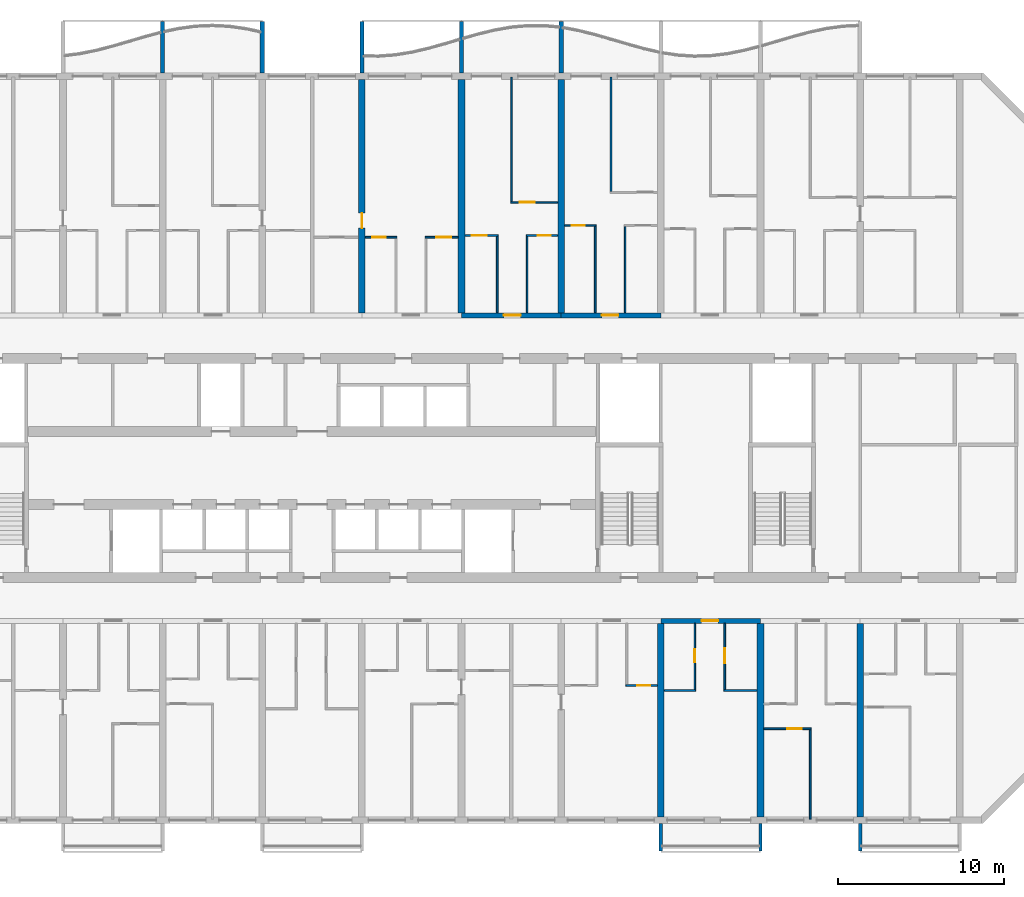
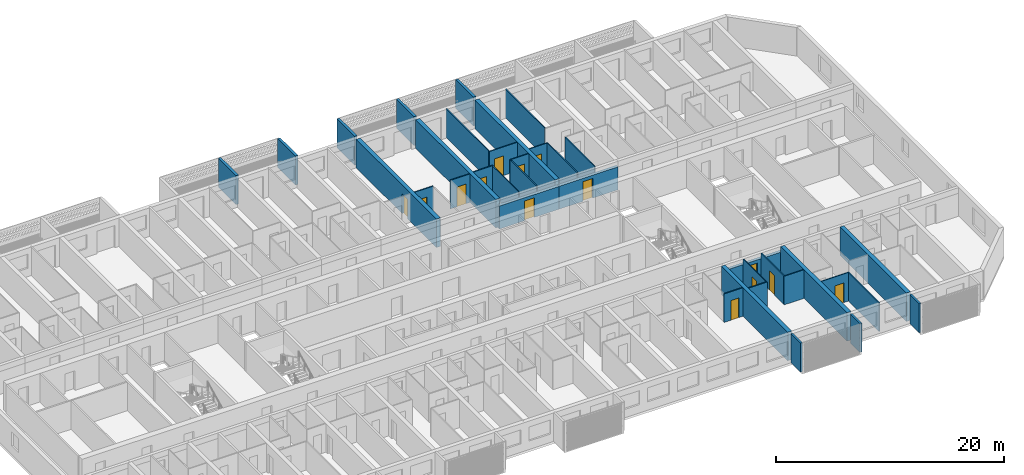
# One storey, part 13 of 39: 36 walls, 14 doors, 14 openings.
"""IFC4 building model written with IfcOpenShell, lengths in metres."""

from ifc_helpers import new_model, si_unit, direction, frame, frame_2d, origin, place, context, subcontext, project, spatial, polyline, rectangle, outline, extrude, source, transform, mapped, material, layer, layer_set, type_object, element, fill, save


model = new_model("IFC4")

# Units and contexts
model_context = context("Model", 3, precision=1e-05, world=origin(), true_north=direction((0.0, 1.0)))
body_context = subcontext(model_context, "Body", "Model", "MODEL_VIEW")
ifc_project = project(units=[si_unit("LENGTHUNIT", "METRE"), si_unit("AREAUNIT", "SQUARE_METRE"), si_unit("VOLUMEUNIT", "CUBIC_METRE"), si_unit("PLANEANGLEUNIT", "RADIAN"), si_unit("MASSUNIT", "GRAM", prefix="KILO")], contexts=[model_context])

# Site, building, storey
site_placement = place(None, origin())
site = spatial("IfcSite", under=ifc_project, at=site_placement, CompositionType="ELEMENT")
building_placement = place(site_placement, origin())
building = spatial("IfcBuilding", under=site, at=building_placement, Name="Poui Terraces", CompositionType="ELEMENT")
storey_placement = place(building_placement, frame((0.0, 0.0, 56.39990234375)))
storey = spatial("IfcBuildingStorey", under=building, at=storey_placement, Name="L15", CompositionType="ELEMENT", Elevation=56.39990234375)

# Wall, opening, door
ifc_material_1 = material(Name="Concrete 80 MPa", Category="concrete")
ifc_layer_1 = layer(ifc_material_1, 0.300048828125)
ifc_layer_set_1 = layer_set([ifc_layer_1], Name="Concrete 80 MPa")
wall_type_1 = type_object("IfcWallType", Name="CORRIDOR WALL 300 80MPa", PredefinedType="SHEAR", material=ifc_layer_set_1)
wall_1_placement = place(storey_placement, frame((72.0, 12.0, 0.0), z_axis=(0.0, 0.0, 1.0), x_axis=(1.0, 0.0, 0.0)))
wall_1 = element("IfcWall", 1, at=wall_1_placement, inside=storey, type_object=wall_type_1, Name="CORRIDOR WALL LINE B BAY 12", PredefinedType="SHEAR", context=body_context, shape_type="SweptSolid", body=[
    extrude(rectangle(XDim=6.0, YDim=0.300048828125, at=frame_2d((3.0, 0.0))), origin(), (0.0, 0.0, 1.0), 2.4501953125),
])
opening_1_placement = place(wall_1_placement, frame((2.449951171875, 0.0, 0.0)))
opening_1 = element("IfcOpeningElement", 2, at=opening_1_placement, cuts=wall_1, Name="Opening FD30S", PredefinedType="OPENING", context=body_context, shape_type="SweptSolid", body=[
    extrude(rectangle(XDim=1.0, YDim=2.10009765625, at=frame_2d((0.5, 1.050048828125))), frame((0.0, 0.16015625, 0.0), z_axis=(0.0, -1.0, 0.0), x_axis=(1.0, 0.0, 0.0)), (0.0, 0.0, 1.0), 0.320068359375),
])
ifc_material_2 = material(Name="Steel fire door", Category="steel")
door_type_1 = type_object("IfcDoorType", Name="FLAT ENTRANCE DOOR 1000 X 2100", OperationType="NOTDEFINED", PredefinedType="DOOR", material=ifc_material_2)
door_1_placement = place(opening_1_placement, frame((1.0, 0.0, 0.0), z_axis=(0.0, 0.0, 1.0), x_axis=(-1.0, 0.0, 0.0)))
door_1 = element("IfcDoor", 3, at=door_1_placement, inside=storey, type_object=door_type_1, Name="FLAT ENTRANCE DOOR 124", OperationType="SINGLE_SWING_RIGHT", OverallHeight=2.10009765625, OverallWidth=1.0, PredefinedType="DOOR", context=body_context, shape_type="SweptSolid", body=[
    extrude(rectangle(XDim=1.0, YDim=2.10009765625, at=frame_2d((0.5, 1.050048828125))), frame((0.0, 0.02490234375, 0.0), z_axis=(0.0, -1.0, 0.0), x_axis=(1.0, 0.0, 0.0)), (0.0, 0.0, 1.0), 0.050048828125),
])
fill(opening_1, door_1)

wall_2_placement = place(storey_placement, frame((60.0, 30.39990234375, 0.0), z_axis=(0.0, 0.0, 1.0), x_axis=(1.0, 0.0, 0.0)))
wall_2 = element("IfcWall", 4, at=wall_2_placement, inside=storey, type_object=wall_type_1, Name="CORRIDOR WALL LINE E BAY 10", PredefinedType="SHEAR", context=body_context, shape_type="SweptSolid", body=[
    extrude(rectangle(XDim=6.0, YDim=0.300048828125, at=frame_2d((3.0, 0.0))), origin(), (0.0, 0.0, 1.0), 2.4501953125),
])
opening_2_placement = place(wall_2_placement, frame((2.550048828125, 0.0, 0.0)))
opening_2 = element("IfcOpeningElement", 5, at=opening_2_placement, cuts=wall_2, Name="Opening FD30S", PredefinedType="OPENING", context=body_context, shape_type="SweptSolid", body=[
    extrude(rectangle(XDim=1.0, YDim=2.10009765625, at=frame_2d((0.5, 1.050048828125))), frame((0.0, 0.16015625, 0.0), z_axis=(0.0, -1.0, 0.0), x_axis=(1.0, 0.0, 0.0)), (0.0, 0.0, 1.0), 0.320068359375),
])
door_2_placement = place(opening_2_placement, origin())
door_2 = element("IfcDoor", 6, at=door_2_placement, inside=storey, type_object=door_type_1, Name="FLAT ENTRANCE DOOR 064", OperationType="SINGLE_SWING_RIGHT", OverallHeight=2.10009765625, OverallWidth=1.0, PredefinedType="DOOR", context=body_context, shape_type="SweptSolid", body=[
    extrude(rectangle(XDim=1.0, YDim=2.10009765625, at=frame_2d((0.5, 1.050048828125))), frame((0.0, 0.02490234375, 0.0), z_axis=(0.0, -1.0, 0.0), x_axis=(1.0, 0.0, 0.0)), (0.0, 0.0, 1.0), 0.050048828125),
])
fill(opening_2, door_2)

wall_3_placement = place(storey_placement, frame((66.0, 30.39990234375, 0.0), z_axis=(0.0, 0.0, 1.0), x_axis=(1.0, 0.0, 0.0)))
wall_3 = element("IfcWall", 7, at=wall_3_placement, inside=storey, type_object=wall_type_1, Name="CORRIDOR WALL LINE E BAY 11", PredefinedType="SHEAR", context=body_context, shape_type="SweptSolid", body=[
    extrude(rectangle(XDim=6.0, YDim=0.300048828125, at=frame_2d((3.0, 0.0))), origin(), (0.0, 0.0, 1.0), 2.4501953125),
])
opening_3_placement = place(wall_3_placement, frame((2.449951171875, 0.0, 0.0)))
opening_3 = element("IfcOpeningElement", 8, at=opening_3_placement, cuts=wall_3, Name="Opening FD30S", PredefinedType="OPENING", context=body_context, shape_type="SweptSolid", body=[
    extrude(rectangle(XDim=1.0, YDim=2.10009765625, at=frame_2d((0.5, 1.050048828125))), frame((0.0, 0.16015625, 0.0), z_axis=(0.0, -1.0, 0.0), x_axis=(1.0, 0.0, 0.0)), (0.0, 0.0, 1.0), 0.320068359375),
])
door_3_placement = place(opening_3_placement, origin())
door_3 = element("IfcDoor", 9, at=door_3_placement, inside=storey, type_object=door_type_1, Name="FLAT ENTRANCE DOOR 068", OperationType="SINGLE_SWING_LEFT", OverallHeight=2.10009765625, OverallWidth=1.0, PredefinedType="DOOR", context=body_context, shape_type="SweptSolid", body=[
    extrude(rectangle(XDim=1.0, YDim=2.10009765625, at=frame_2d((0.5, 1.050048828125))), frame((0.0, 0.02490234375, 0.0), z_axis=(0.0, -1.0, 0.0), x_axis=(1.0, 0.0, 0.0)), (0.0, 0.0, 1.0), 0.050048828125),
])
fill(opening_3, door_3)

ifc_layer_2 = layer(ifc_material_1, 0.39990234375)
ifc_layer_set_2 = layer_set([ifc_layer_2], Name="Concrete 80 MPa")
wall_type_2 = type_object("IfcWallType", Name="CROSS WALL 400 80MPa", PredefinedType="SHEAR", material=ifc_layer_set_2)
wall_4_placement = place(storey_placement, frame((54.0, 30.550048828125, 0.0), z_axis=(0.0, 0.0, 1.0), x_axis=(0.0, 1.0, 0.0)))
wall_4 = element("IfcWall", 10, at=wall_4_placement, inside=storey, type_object=wall_type_2, Name="CROSS WALL LINE 10 NORTH", PredefinedType="SHEAR", context=body_context, shape_type="SweptSolid", body=[
    extrude(rectangle(XDim=14.050048828125, YDim=0.39990234375, at=frame_2d((7.02490234375, 0.0))), origin(), (0.0, 0.0, 1.0), 3.050048828125),
])
opening_4_placement = place(wall_4_placement, frame((5.10009765625, 0.0, 0.0)))
opening_4 = element("IfcOpeningElement", 11, at=opening_4_placement, cuts=wall_4, Name="Opening D90", PredefinedType="OPENING", context=body_context, shape_type="SweptSolid", body=[
    extrude(rectangle(XDim=0.89990234375, YDim=2.10009765625, at=frame_2d((0.449951171875, 1.050048828125))), frame((0.0, 0.2099609375, 0.0), z_axis=(0.0, -1.0, 0.0), x_axis=(1.0, 0.0, 0.0)), (0.0, 0.0, 1.0), 0.419921875),
])
ifc_material_3 = material(Name="Solid core timber door", Category="wood")
door_type_2 = type_object("IfcDoorType", Name="INTERNAL DOOR 900 X 2100", OperationType="NOTDEFINED", PredefinedType="DOOR", material=ifc_material_3)
door_4_placement = place(opening_4_placement, origin())
door_4 = element("IfcDoor", 12, at=door_4_placement, inside=storey, type_object=door_type_2, Name="INTERNAL DOOR 059", OperationType="SINGLE_SWING_LEFT", OverallHeight=2.10009765625, OverallWidth=0.89990234375, PredefinedType="DOOR", context=body_context, shape_type="SweptSolid", body=[
    extrude(rectangle(XDim=0.89990234375, YDim=2.10009765625, at=frame_2d((0.449951171875, 1.050048828125))), frame((0.0, 0.02490234375, 0.0), z_axis=(0.0, -1.0, 0.0), x_axis=(1.0, 0.0, 0.0)), (0.0, 0.0, 1.0), 0.050048828125),
])
fill(opening_4, door_4)

# Walls
for number, where, z_axis, x_axis, name in (
    (13, (60.0, 30.550048828125, 0.0), (0.0, 0.0, 1.0), (0.0, 1.0, 0.0), "CROSS WALL LINE 11 NORTH"),
    (14, (66.0, 30.550048828125, 0.0), (0.0, 0.0, 1.0), (0.0, 1.0, 0.0), "CROSS WALL LINE 12 NORTH"),
):
    element("IfcWall", number, at=place(storey_placement, frame(where, z_axis=z_axis, x_axis=x_axis)), inside=storey, type_object=wall_type_2, Name=name, PredefinedType="SHEAR", context=body_context, shape_type="SweptSolid", body=[
        extrude(rectangle(XDim=14.050048828125, YDim=0.39990234375, at=frame_2d((7.02490234375, 0.0))), origin(), (0.0, 0.0, 1.0), 3.050048828125),
    ])
for number, where, z_axis, x_axis, name in (
    (15, (72.0, 0.199951171875, 0.0), (0.0, 0.0, 1.0), (0.0, 1.0, 0.0), "CROSS WALL LINE 13 SOUTH"),
    (16, (78.0, 0.199951171875, 0.0), (0.0, 0.0, 1.0), (0.0, 1.0, 0.0), "CROSS WALL LINE 14 SOUTH"),
    (17, (84.0, 0.199951171875, 0.0), (0.0, 0.0, 1.0), (0.0, 1.0, 0.0), "CROSS WALL LINE 15 SOUTH"),
):
    element("IfcWall", number, at=place(storey_placement, frame(where, z_axis=z_axis, x_axis=x_axis)), inside=storey, type_object=wall_type_2, Name=name, PredefinedType="SHEAR", context=body_context, shape_type="SweptSolid", body=[
        extrude(rectangle(XDim=11.650146484375, YDim=0.39990234375, at=frame_2d((5.8251953125, 0.0))), origin(), (0.0, 0.0, 1.0), 3.050048828125),
    ])

# Wall, opening, door
ifc_material_4 = material(Name="Plasterboard partition")
ifc_layer_3 = layer(ifc_material_4, 0.10009765625)
ifc_layer_set_3 = layer_set([ifc_layer_3], Name="Plasterboard partition")
wall_type_3 = type_object("IfcWallType", Name="FLAT PARTITION 100", PredefinedType="PARTITIONING", material=ifc_layer_set_3)
wall_5_placement = place(storey_placement, frame((78.2099609375, 5.5, 0.0), z_axis=(0.0, 0.0, 1.0), x_axis=(1.0, 0.0, 0.0)))
wall_5 = element("IfcWall", 18, at=wall_5_placement, inside=storey, type_object=wall_type_3, Name="FLAT PARTITION 100", PredefinedType="PARTITIONING", context=body_context, shape_type="SweptSolid", body=[
    extrude(rectangle(XDim=2.840087890625, YDim=0.10009765625, at=frame_2d((1.419921875, 0.0))), origin(), (0.0, 0.0, 1.0), 3.050048828125),
])
opening_5_placement = place(wall_5_placement, frame((1.389892578125, 0.0, 0.0)))
opening_5 = element("IfcOpeningElement", 19, at=opening_5_placement, cuts=wall_5, Name="Opening D90", PredefinedType="OPENING", context=body_context, shape_type="SweptSolid", body=[
    extrude(rectangle(XDim=0.89990234375, YDim=2.10009765625, at=frame_2d((0.449951171875, 1.050048828125))), frame((0.0, 0.06005859375, 0.0), z_axis=(0.0, -1.0, 0.0), x_axis=(1.0, 0.0, 0.0)), (0.0, 0.0, 1.0), 0.1201171875),
])
door_5_placement = place(opening_5_placement, origin())
door_5 = element("IfcDoor", 20, at=door_5_placement, inside=storey, type_object=door_type_2, Name="INTERNAL DOOR 127", OperationType="SINGLE_SWING_LEFT", OverallHeight=2.10009765625, OverallWidth=0.89990234375, PredefinedType="DOOR", context=body_context, shape_type="SweptSolid", body=[
    extrude(rectangle(XDim=0.89990234375, YDim=2.10009765625, at=frame_2d((0.449951171875, 1.050048828125))), frame((0.0, 0.02490234375, 0.0), z_axis=(0.0, -1.0, 0.0), x_axis=(1.0, 0.0, 0.0)), (0.0, 0.0, 1.0), 0.050048828125),
])
fill(opening_5, door_5)

# Walls
wall_6_placement = place(storey_placement, frame((72.2099609375, 7.800048828125, 0.0), z_axis=(0.0, 0.0, 1.0), x_axis=(1.0, 0.0, 0.0)))
element("IfcWall", 21, at=wall_6_placement, inside=storey, type_object=wall_type_3, Name="FLAT PARTITION 100", PredefinedType="PARTITIONING", context=body_context, shape_type="SweptSolid", body=[
    extrude(rectangle(XDim=1.89013671875, YDim=0.10009765625, at=frame_2d((0.945068359375, 0.0))), origin(), (0.0, 0.0, 1.0), 3.050048828125),
])
wall_7_placement = place(storey_placement, frame((75.800048828125, 7.800048828125, 0.0), z_axis=(0.0, 0.0, 1.0), x_axis=(1.0, 0.0, 0.0)))
element("IfcWall", 22, at=wall_7_placement, inside=storey, type_object=wall_type_3, Name="FLAT PARTITION 100", PredefinedType="PARTITIONING", context=body_context, shape_type="SweptSolid", body=[
    extrude(rectangle(XDim=1.989990234375, YDim=0.10009765625, at=frame_2d((0.9951171875, 0.0))), origin(), (0.0, 0.0, 1.0), 3.050048828125),
])

# Wall, opening, door
wall_8_placement = place(storey_placement, frame((69.89990234375, 8.10009765625, 0.0), z_axis=(0.0, 0.0, 1.0), x_axis=(1.0, 0.0, 0.0)))
wall_8 = element("IfcWall", 23, at=wall_8_placement, inside=storey, type_object=wall_type_3, Name="FLAT PARTITION 100", PredefinedType="PARTITIONING", context=body_context, shape_type="SweptSolid", body=[
    extrude(rectangle(XDim=1.89013671875, YDim=0.10009765625, at=frame_2d((0.945068359375, 0.0))), origin(), (0.0, 0.0, 1.0), 3.050048828125),
])
opening_6_placement = place(wall_8_placement, frame((0.675048828125, 0.0, 0.0)))
opening_6 = element("IfcOpeningElement", 24, at=opening_6_placement, cuts=wall_8, Name="Opening D80", PredefinedType="OPENING", context=body_context, shape_type="SweptSolid", body=[
    extrude(rectangle(XDim=0.800048828125, YDim=2.10009765625, at=frame_2d((0.39990234375, 1.050048828125))), frame((0.0, 0.06005859375, 0.0), z_axis=(0.0, -1.0, 0.0), x_axis=(1.0, 0.0, 0.0)), (0.0, 0.0, 1.0), 0.1201171875),
])
door_type_3 = type_object("IfcDoorType", Name="BATHROOM, LAUNDRY AND STORE DOOR 800 X 2100", OperationType="NOTDEFINED", PredefinedType="DOOR", material=ifc_material_3)
door_6_placement = place(opening_6_placement, origin())
door_6 = element("IfcDoor", 25, at=door_6_placement, inside=storey, type_object=door_type_3, Name="BATHROOM, LAUNDRY AND STORE DOOR 122", OperationType="SINGLE_SWING_RIGHT", OverallHeight=2.10009765625, OverallWidth=0.800048828125, PredefinedType="DOOR", context=body_context, shape_type="SweptSolid", body=[
    extrude(rectangle(XDim=0.800048828125, YDim=2.10009765625, at=frame_2d((0.39990234375, 1.050048828125))), frame((0.0, 0.02490234375, 0.0), z_axis=(0.0, -1.0, 0.0), x_axis=(1.0, 0.0, 0.0)), (0.0, 0.0, 1.0), 0.050048828125),
])
fill(opening_6, door_6)

wall_9_placement = place(storey_placement, frame((54.2099609375, 35.10009765625, 0.0), z_axis=(0.0, 0.0, 1.0), x_axis=(1.0, 0.0, 0.0)))
wall_9 = element("IfcWall", 26, at=wall_9_placement, inside=storey, type_object=wall_type_3, Name="FLAT PARTITION 100", PredefinedType="PARTITIONING", context=body_context, shape_type="SweptSolid", body=[
    extrude(rectangle(XDim=1.89013671875, YDim=0.10009765625, at=frame_2d((0.945068359375, 0.0))), origin(), (0.0, 0.0, 1.0), 3.050048828125),
])
opening_7_placement = place(wall_9_placement, frame((0.4150390625, 0.0, 0.0)))
opening_7 = element("IfcOpeningElement", 27, at=opening_7_placement, cuts=wall_9, Name="Opening D80", PredefinedType="OPENING", context=body_context, shape_type="SweptSolid", body=[
    extrude(rectangle(XDim=0.800048828125, YDim=2.10009765625, at=frame_2d((0.39990234375, 1.050048828125))), frame((0.0, 0.06005859375, 0.0), z_axis=(0.0, -1.0, 0.0), x_axis=(1.0, 0.0, 0.0)), (0.0, 0.0, 1.0), 0.1201171875),
])
door_7_placement = place(opening_7_placement, frame((0.800048828125, 0.0, 0.0), z_axis=(0.0, 0.0, 1.0), x_axis=(-1.0, 0.0, 0.0)))
door_7 = element("IfcDoor", 28, at=door_7_placement, inside=storey, type_object=door_type_3, Name="BATHROOM, LAUNDRY AND STORE DOOR 060", OperationType="SINGLE_SWING_LEFT", OverallHeight=2.10009765625, OverallWidth=0.800048828125, PredefinedType="DOOR", context=body_context, shape_type="SweptSolid", body=[
    extrude(rectangle(XDim=0.800048828125, YDim=2.10009765625, at=frame_2d((0.39990234375, 1.050048828125))), frame((0.0, 0.02490234375, 0.0), z_axis=(0.0, -1.0, 0.0), x_axis=(1.0, 0.0, 0.0)), (0.0, 0.0, 1.0), 0.050048828125),
])
fill(opening_7, door_7)

wall_10_placement = place(storey_placement, frame((57.800048828125, 35.10009765625, 0.0), z_axis=(0.0, 0.0, 1.0), x_axis=(1.0, 0.0, 0.0)))
wall_10 = element("IfcWall", 29, at=wall_10_placement, inside=storey, type_object=wall_type_3, Name="FLAT PARTITION 100", PredefinedType="PARTITIONING", context=body_context, shape_type="SweptSolid", body=[
    extrude(rectangle(XDim=1.989990234375, YDim=0.10009765625, at=frame_2d((0.9951171875, 0.0))), origin(), (0.0, 0.0, 1.0), 3.050048828125),
])
opening_8_placement = place(wall_10_placement, frame((0.675048828125, 0.0, 0.0)))
opening_8 = element("IfcOpeningElement", 30, at=opening_8_placement, cuts=wall_10, Name="Opening D90", PredefinedType="OPENING", context=body_context, shape_type="SweptSolid", body=[
    extrude(rectangle(XDim=0.89990234375, YDim=2.10009765625, at=frame_2d((0.449951171875, 1.050048828125))), frame((0.0, 0.06005859375, 0.0), z_axis=(0.0, -1.0, 0.0), x_axis=(1.0, 0.0, 0.0)), (0.0, 0.0, 1.0), 0.1201171875),
])
door_8_placement = place(opening_8_placement, frame((0.89990234375, 0.0, 0.0), z_axis=(0.0, 0.0, 1.0), x_axis=(-1.0, 0.0, 0.0)))
door_8 = element("IfcDoor", 31, at=door_8_placement, inside=storey, type_object=door_type_2, Name="INTERNAL DOOR 062", OperationType="SINGLE_SWING_RIGHT", OverallHeight=2.10009765625, OverallWidth=0.89990234375, PredefinedType="DOOR", context=body_context, shape_type="SweptSolid", body=[
    extrude(rectangle(XDim=0.89990234375, YDim=2.10009765625, at=frame_2d((0.449951171875, 1.050048828125))), frame((0.0, 0.02490234375, 0.0), z_axis=(0.0, -1.0, 0.0), x_axis=(1.0, 0.0, 0.0)), (0.0, 0.0, 1.0), 0.050048828125),
])
fill(opening_8, door_8)

wall_11_placement = place(storey_placement, frame((60.2099609375, 35.199951171875, 0.0), z_axis=(0.0, 0.0, 1.0), x_axis=(1.0, 0.0, 0.0)))
wall_11 = element("IfcWall", 32, at=wall_11_placement, inside=storey, type_object=wall_type_3, Name="FLAT PARTITION 100", PredefinedType="PARTITIONING", context=body_context, shape_type="SweptSolid", body=[
    extrude(rectangle(XDim=1.989990234375, YDim=0.10009765625, at=frame_2d((0.9951171875, 0.0))), origin(), (0.0, 0.0, 1.0), 3.050048828125),
])
opening_9_placement = place(wall_11_placement, frame((0.4150390625, 0.0, 0.0)))
opening_9 = element("IfcOpeningElement", 33, at=opening_9_placement, cuts=wall_11, Name="Opening D90", PredefinedType="OPENING", context=body_context, shape_type="SweptSolid", body=[
    extrude(rectangle(XDim=0.89990234375, YDim=2.10009765625, at=frame_2d((0.449951171875, 1.050048828125))), frame((0.0, 0.06005859375, 0.0), z_axis=(0.0, -1.0, 0.0), x_axis=(1.0, 0.0, 0.0)), (0.0, 0.0, 1.0), 0.1201171875),
])
door_9_placement = place(opening_9_placement, frame((0.89990234375, 0.0, 0.0), z_axis=(0.0, 0.0, 1.0), x_axis=(-1.0, 0.0, 0.0)))
door_9 = element("IfcDoor", 34, at=door_9_placement, inside=storey, type_object=door_type_2, Name="INTERNAL DOOR 063", OperationType="SINGLE_SWING_LEFT", OverallHeight=2.10009765625, OverallWidth=0.89990234375, PredefinedType="DOOR", context=body_context, shape_type="SweptSolid", body=[
    extrude(rectangle(XDim=0.89990234375, YDim=2.10009765625, at=frame_2d((0.449951171875, 1.050048828125))), frame((0.0, 0.02490234375, 0.0), z_axis=(0.0, -1.0, 0.0), x_axis=(1.0, 0.0, 0.0)), (0.0, 0.0, 1.0), 0.050048828125),
])
fill(opening_9, door_9)

wall_12_placement = place(storey_placement, frame((63.89990234375, 35.199951171875, 0.0), z_axis=(0.0, 0.0, 1.0), x_axis=(1.0, 0.0, 0.0)))
wall_12 = element("IfcWall", 35, at=wall_12_placement, inside=storey, type_object=wall_type_3, Name="FLAT PARTITION 100", PredefinedType="PARTITIONING", context=body_context, shape_type="SweptSolid", body=[
    extrude(rectangle(XDim=1.89013671875, YDim=0.10009765625, at=frame_2d((0.945068359375, 0.0))), origin(), (0.0, 0.0, 1.0), 3.050048828125),
])
opening_10_placement = place(wall_12_placement, frame((0.675048828125, 0.0, 0.0)))
opening_10 = element("IfcOpeningElement", 36, at=opening_10_placement, cuts=wall_12, Name="Opening D80", PredefinedType="OPENING", context=body_context, shape_type="SweptSolid", body=[
    extrude(rectangle(XDim=0.800048828125, YDim=2.10009765625, at=frame_2d((0.39990234375, 1.050048828125))), frame((0.0, 0.06005859375, 0.0), z_axis=(0.0, -1.0, 0.0), x_axis=(1.0, 0.0, 0.0)), (0.0, 0.0, 1.0), 0.1201171875),
])
door_10_placement = place(opening_10_placement, frame((0.800048828125, 0.0, 0.0), z_axis=(0.0, 0.0, 1.0), x_axis=(-1.0, 0.0, 0.0)))
door_10 = element("IfcDoor", 37, at=door_10_placement, inside=storey, type_object=door_type_3, Name="BATHROOM, LAUNDRY AND STORE DOOR 066", OperationType="SINGLE_SWING_RIGHT", OverallHeight=2.10009765625, OverallWidth=0.800048828125, PredefinedType="DOOR", context=body_context, shape_type="SweptSolid", body=[
    extrude(rectangle(XDim=0.800048828125, YDim=2.10009765625, at=frame_2d((0.39990234375, 1.050048828125))), frame((0.0, 0.02490234375, 0.0), z_axis=(0.0, -1.0, 0.0), x_axis=(1.0, 0.0, 0.0)), (0.0, 0.0, 1.0), 0.050048828125),
])
fill(opening_10, door_10)

wall_13_placement = place(storey_placement, frame((66.2099609375, 35.800048828125, 0.0), z_axis=(0.0, 0.0, 1.0), x_axis=(1.0, 0.0, 0.0)))
wall_13 = element("IfcWall", 38, at=wall_13_placement, inside=storey, type_object=wall_type_3, Name="FLAT PARTITION 100", PredefinedType="PARTITIONING", context=body_context, shape_type="SweptSolid", body=[
    extrude(rectangle(XDim=1.89013671875, YDim=0.10009765625, at=frame_2d((0.945068359375, 0.0))), origin(), (0.0, 0.0, 1.0), 3.050048828125),
])
opening_11_placement = place(wall_13_placement, frame((0.4150390625, 0.0, 0.0)))
opening_11 = element("IfcOpeningElement", 39, at=opening_11_placement, cuts=wall_13, Name="Opening D80", PredefinedType="OPENING", context=body_context, shape_type="SweptSolid", body=[
    extrude(rectangle(XDim=0.800048828125, YDim=2.10009765625, at=frame_2d((0.39990234375, 1.050048828125))), frame((0.0, 0.06005859375, 0.0), z_axis=(0.0, -1.0, 0.0), x_axis=(1.0, 0.0, 0.0)), (0.0, 0.0, 1.0), 0.1201171875),
])
door_11_placement = place(opening_11_placement, frame((0.800048828125, 0.0, 0.0), z_axis=(0.0, 0.0, 1.0), x_axis=(-1.0, 0.0, 0.0)))
door_11 = element("IfcDoor", 40, at=door_11_placement, inside=storey, type_object=door_type_3, Name="BATHROOM, LAUNDRY AND STORE DOOR 067", OperationType="SINGLE_SWING_RIGHT", OverallHeight=2.10009765625, OverallWidth=0.800048828125, PredefinedType="DOOR", context=body_context, shape_type="SweptSolid", body=[
    extrude(rectangle(XDim=0.800048828125, YDim=2.10009765625, at=frame_2d((0.39990234375, 1.050048828125))), frame((0.0, 0.02490234375, 0.0), z_axis=(0.0, -1.0, 0.0), x_axis=(1.0, 0.0, 0.0)), (0.0, 0.0, 1.0), 0.050048828125),
])
fill(opening_11, door_11)

wall_14_placement = place(storey_placement, frame((62.949951171875, 37.199951171875, 0.0), z_axis=(0.0, 0.0, 1.0), x_axis=(1.0, 0.0, 0.0)))
wall_14 = element("IfcWall", 41, at=wall_14_placement, inside=storey, type_object=wall_type_3, Name="FLAT PARTITION 100", PredefinedType="PARTITIONING", context=body_context, shape_type="SweptSolid", body=[
    extrude(rectangle(XDim=2.840087890625, YDim=0.10009765625, at=frame_2d((1.419921875, 0.0))), origin(), (0.0, 0.0, 1.0), 3.050048828125),
])
opening_12_placement = place(wall_14_placement, frame((0.550048828125, 0.0, 0.0)))
opening_12 = element("IfcOpeningElement", 42, at=opening_12_placement, cuts=wall_14, Name="Opening D90", PredefinedType="OPENING", context=body_context, shape_type="SweptSolid", body=[
    extrude(rectangle(XDim=0.89990234375, YDim=2.10009765625, at=frame_2d((0.449951171875, 1.050048828125))), frame((0.0, 0.06005859375, 0.0), z_axis=(0.0, -1.0, 0.0), x_axis=(1.0, 0.0, 0.0)), (0.0, 0.0, 1.0), 0.1201171875),
])
door_12_placement = place(opening_12_placement, frame((0.89990234375, 0.0, 0.0), z_axis=(0.0, 0.0, 1.0), x_axis=(-1.0, 0.0, 0.0)))
door_12 = element("IfcDoor", 43, at=door_12_placement, inside=storey, type_object=door_type_2, Name="INTERNAL DOOR 065", OperationType="SINGLE_SWING_LEFT", OverallHeight=2.10009765625, OverallWidth=0.89990234375, PredefinedType="DOOR", context=body_context, shape_type="SweptSolid", body=[
    extrude(rectangle(XDim=0.89990234375, YDim=2.10009765625, at=frame_2d((0.449951171875, 1.050048828125))), frame((0.0, 0.02490234375, 0.0), z_axis=(0.0, -1.0, 0.0), x_axis=(1.0, 0.0, 0.0)), (0.0, 0.0, 1.0), 0.050048828125),
])
fill(opening_12, door_12)

# Walls
wall_15_placement = place(storey_placement, frame((62.14990234375, 30.56005859375, 0.0), z_axis=(0.0, 0.0, 1.0), x_axis=(0.0, 1.0, 0.0)))
element("IfcWall", 44, at=wall_15_placement, inside=storey, type_object=wall_type_3, Name="FLAT PARTITION 100", PredefinedType="PARTITIONING", context=body_context, shape_type="SweptSolid", body=[
    extrude(rectangle(XDim=4.58984375, YDim=0.10009765625, at=frame_2d((2.294921875, 0.0))), origin(), (0.0, 0.0, 1.0), 3.050048828125),
])
wall_16_placement = place(storey_placement, frame((63.0, 37.25, 0.0), z_axis=(0.0, 0.0, 1.0), x_axis=(0.0, 1.0, 0.0)))
element("IfcWall", 45, at=wall_16_placement, inside=storey, type_object=wall_type_3, Name="FLAT PARTITION 100", PredefinedType="PARTITIONING", context=body_context, shape_type="SweptSolid", body=[
    extrude(rectangle(XDim=7.489990234375, YDim=0.10009765625, at=frame_2d((3.7451171875, 0.0))), origin(), (0.0, 0.0, 1.0), 3.050048828125),
])
wall_17_placement = place(storey_placement, frame((63.949951171875, 30.56005859375, 0.0), z_axis=(0.0, 0.0, 1.0), x_axis=(0.0, 1.0, 0.0)))
element("IfcWall", 46, at=wall_17_placement, inside=storey, type_object=wall_type_3, Name="FLAT PARTITION 100", PredefinedType="PARTITIONING", context=body_context, shape_type="SweptSolid", body=[
    extrude(rectangle(XDim=4.58984375, YDim=0.10009765625, at=frame_2d((2.294921875, 0.0))), origin(), (0.0, 0.0, 1.0), 3.050048828125),
])
wall_18_placement = place(storey_placement, frame((68.050048828125, 30.56005859375, 0.0), z_axis=(0.0, 0.0, 1.0), x_axis=(0.0, 1.0, 0.0)))
element("IfcWall", 47, at=wall_18_placement, inside=storey, type_object=wall_type_3, Name="FLAT PARTITION 100", PredefinedType="PARTITIONING", context=body_context, shape_type="SweptSolid", body=[
    extrude(rectangle(XDim=5.18994140625, YDim=0.10009765625, at=frame_2d((2.594970703125, 0.0))), origin(), (0.0, 0.0, 1.0), 3.050048828125),
])
wall_19_placement = place(storey_placement, frame((69.0, 37.85009765625, 0.0), z_axis=(0.0, 0.0, 1.0), x_axis=(0.0, 1.0, 0.0)))
element("IfcWall", 48, at=wall_19_placement, inside=storey, type_object=wall_type_3, Name="FLAT PARTITION 100", PredefinedType="PARTITIONING", context=body_context, shape_type="SweptSolid", body=[
    extrude(rectangle(XDim=6.889892578125, YDim=0.10009765625, at=frame_2d((3.44482421875, 0.0))), origin(), (0.0, 0.0, 1.0), 3.050048828125),
])
wall_20_placement = place(storey_placement, frame((69.85009765625, 30.56005859375, 0.0), z_axis=(0.0, 0.0, 1.0), x_axis=(0.0, 1.0, 0.0)))
element("IfcWall", 49, at=wall_20_placement, inside=storey, type_object=wall_type_3, Name="FLAT PARTITION 100", PredefinedType="PARTITIONING", context=body_context, shape_type="SweptSolid", body=[
    extrude(rectangle(XDim=5.18994140625, YDim=0.10009765625, at=frame_2d((2.594970703125, 0.0))), origin(), (0.0, 0.0, 1.0), 3.050048828125),
])

# Wall, opening, door
wall_21_placement = place(storey_placement, frame((74.050048828125, 7.85009765625, 0.0), z_axis=(0.0, 0.0, 1.0), x_axis=(0.0, 1.0, 0.0)))
wall_21 = element("IfcWall", 50, at=wall_21_placement, inside=storey, type_object=wall_type_3, Name="FLAT PARTITION 100", PredefinedType="PARTITIONING", context=body_context, shape_type="SweptSolid", body=[
    extrude(rectangle(XDim=3.989990234375, YDim=0.10009765625, at=frame_2d((1.9951171875, 0.0))), origin(), (0.0, 0.0, 1.0), 3.050048828125),
])
opening_13_placement = place(wall_21_placement, frame((1.64990234375, 0.0, 0.0)))
opening_13 = element("IfcOpeningElement", 51, at=opening_13_placement, cuts=wall_21, Name="Opening D80", PredefinedType="OPENING", context=body_context, shape_type="SweptSolid", body=[
    extrude(rectangle(XDim=0.800048828125, YDim=2.10009765625, at=frame_2d((0.39990234375, 1.050048828125))), frame((0.0, 0.06005859375, 0.0), z_axis=(0.0, -1.0, 0.0), x_axis=(1.0, 0.0, 0.0)), (0.0, 0.0, 1.0), 0.1201171875),
])
door_13_placement = place(opening_13_placement, origin())
door_13 = element("IfcDoor", 52, at=door_13_placement, inside=storey, type_object=door_type_3, Name="BATHROOM, LAUNDRY AND STORE DOOR 123", OperationType="SINGLE_SWING_RIGHT", OverallHeight=2.10009765625, OverallWidth=0.800048828125, PredefinedType="DOOR", context=body_context, shape_type="SweptSolid", body=[
    extrude(rectangle(XDim=0.800048828125, YDim=2.10009765625, at=frame_2d((0.39990234375, 1.050048828125))), frame((0.0, 0.02490234375, 0.0), z_axis=(0.0, -1.0, 0.0), x_axis=(1.0, 0.0, 0.0)), (0.0, 0.0, 1.0), 0.050048828125),
])
fill(opening_13, door_13)

wall_22_placement = place(storey_placement, frame((75.85009765625, 7.85009765625, 0.0), z_axis=(0.0, 0.0, 1.0), x_axis=(0.0, 1.0, 0.0)))
wall_22 = element("IfcWall", 53, at=wall_22_placement, inside=storey, type_object=wall_type_3, Name="FLAT PARTITION 100", PredefinedType="PARTITIONING", context=body_context, shape_type="SweptSolid", body=[
    extrude(rectangle(XDim=3.989990234375, YDim=0.10009765625, at=frame_2d((1.9951171875, 0.0))), origin(), (0.0, 0.0, 1.0), 3.050048828125),
])
opening_14_placement = place(wall_22_placement, frame((1.60009765625, 0.0, 0.0)))
opening_14 = element("IfcOpeningElement", 54, at=opening_14_placement, cuts=wall_22, Name="Opening D90", PredefinedType="OPENING", context=body_context, shape_type="SweptSolid", body=[
    extrude(rectangle(XDim=0.89990234375, YDim=2.10009765625, at=frame_2d((0.449951171875, 1.050048828125))), frame((0.0, 0.06005859375, 0.0), z_axis=(0.0, -1.0, 0.0), x_axis=(1.0, 0.0, 0.0)), (0.0, 0.0, 1.0), 0.1201171875),
])
door_14_placement = place(opening_14_placement, frame((0.89990234375, 0.0, 0.0), z_axis=(0.0, 0.0, 1.0), x_axis=(-1.0, 0.0, 0.0)))
door_14 = element("IfcDoor", 55, at=door_14_placement, inside=storey, type_object=door_type_2, Name="INTERNAL DOOR 125", OperationType="SINGLE_SWING_RIGHT", OverallHeight=2.10009765625, OverallWidth=0.89990234375, PredefinedType="DOOR", context=body_context, shape_type="SweptSolid", body=[
    extrude(rectangle(XDim=0.89990234375, YDim=2.10009765625, at=frame_2d((0.449951171875, 1.050048828125))), frame((0.0, 0.02490234375, 0.0), z_axis=(0.0, -1.0, 0.0), x_axis=(1.0, 0.0, 0.0)), (0.0, 0.0, 1.0), 0.050048828125),
])
fill(opening_14, door_14)

# Walls
wall_23_placement = place(storey_placement, frame((81.0, 0.06005859375, 0.0), z_axis=(0.0, 0.0, 1.0), x_axis=(0.0, 1.0, 0.0)))
element("IfcWall", 56, at=wall_23_placement, inside=storey, type_object=wall_type_3, Name="FLAT PARTITION 100", PredefinedType="PARTITIONING", context=body_context, shape_type="SweptSolid", body=[
    extrude(rectangle(XDim=5.389892578125, YDim=0.10009765625, at=frame_2d((2.69482421875, 0.0))), origin(), (0.0, 0.0, 1.0), 3.050048828125),
])
ifc_material_5 = material(Name="Precast concrete 40 MPa", Category="concrete")
ifc_layer_4 = layer(ifc_material_5, 0.199951171875)
ifc_layer_set_4 = layer_set([ifc_layer_4], Name="Precast concrete 40 MPa")
wall_type_4 = type_object("IfcWallType", Name="REAR FIN 200", PredefinedType="STANDARD", material=ifc_layer_set_4)
shared_shape_1 = source(origin(), body_context, "Body", "SweptSolid", [
    extrude(outline(polyline([(0.0, 0.0), (0.2001953125, 0.0), (0.2001953125, 1.650146484375), (0.0, 1.650146484375), (0.0, 0.0)])), origin(), (0.0, 0.0, 1.0), 3.10009765625),
])
for number, where, name in (
    (57, (71.89990234375, -1.85009765625, 0.0), "REAR FIN"),
    (58, (77.89990234375, -1.85009765625, 0.0), "REAR FIN"),
    (59, (83.89990234375, -1.85009765625, 0.0), "REAR FIN"),
):
    element("IfcWall", number, at=place(storey_placement, frame(where)), inside=storey, type_object=wall_type_4, Name=name, PredefinedType="STANDARD", context=body_context, shape_type="MappedRepresentation", body=[
        mapped(shared_shape_1, transform((0.0, 0.0, 0.0))),
    ])
ifc_layer_5 = layer(ifc_material_5, 0.25)
ifc_layer_set_5 = layer_set([ifc_layer_5], Name="Precast concrete 40 MPa")
wall_type_5 = type_object("IfcWallType", Name="BALCONY FIN 250", PredefinedType="STANDARD", material=ifc_layer_set_5)
shared_shape_2 = source(origin(), body_context, "Body", "SweptSolid", [
    extrude(outline(polyline([(0.0, 0.0), (0.25, 0.0), (0.25, 3.10009765625), (0.0, 3.10009765625), (0.0, 0.0)])), origin(), (0.0, 0.0, 1.0), 3.10009765625),
])
for number, where, name in (
    (60, (41.875, 45.0, 0.0), "BALCONY FIN"),
    (61, (47.875, 45.0, 0.0), "BALCONY FIN"),
    (62, (53.875, 45.0, 0.0), "BALCONY FIN"),
    (63, (59.875, 45.0, 0.0), "BALCONY FIN"),
    (64, (65.875, 45.0, 0.0), "BALCONY FIN"),
):
    element("IfcWall", number, at=place(storey_placement, frame(where)), inside=storey, type_object=wall_type_5, Name=name, PredefinedType="STANDARD", context=body_context, shape_type="MappedRepresentation", body=[
        mapped(shared_shape_2, transform((0.0, 0.0, 0.0))),
    ])

save(model, "model.ifc")
